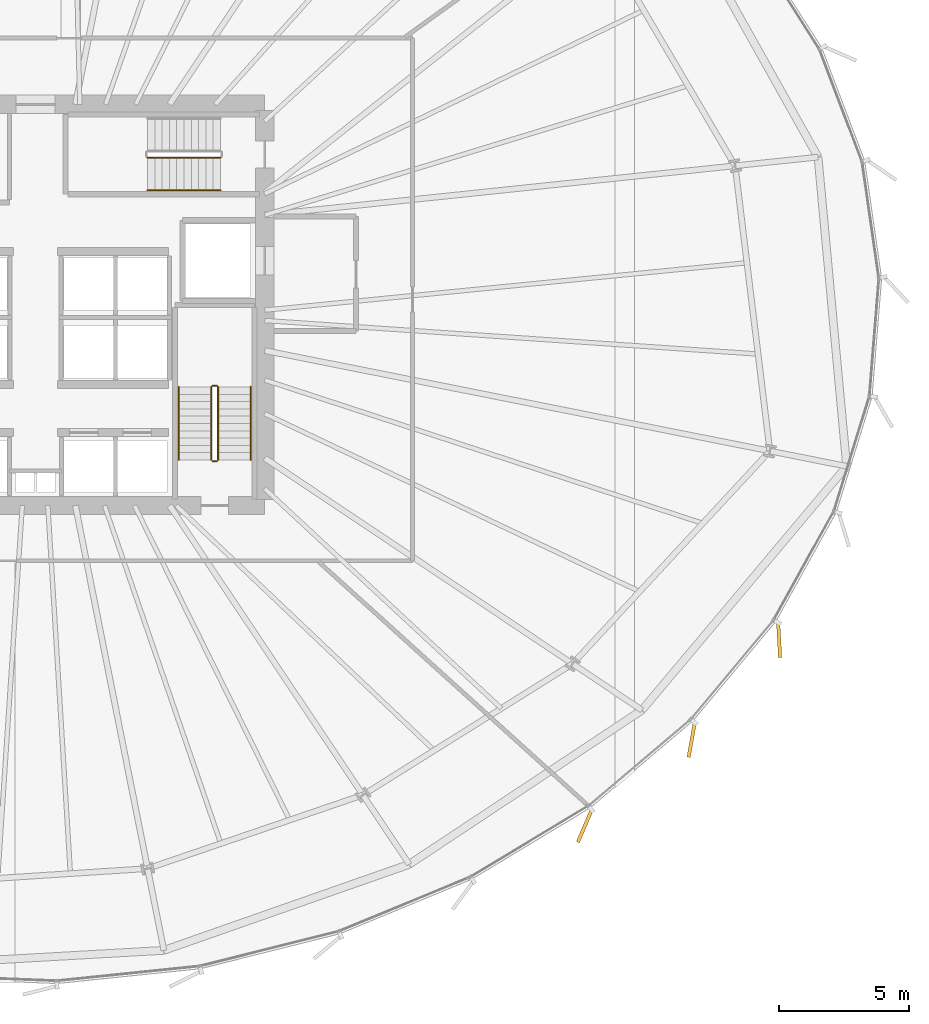
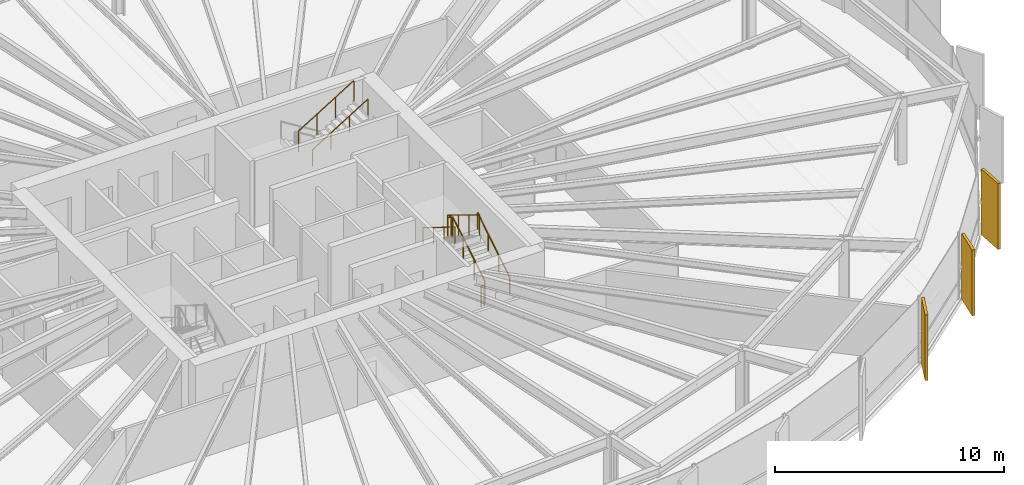
# One storey, part 39 of 42: 8 railings, 3 coverings.
"""IFC4 building model written with IfcOpenShell, lengths in metres."""

from ifc_helpers import new_model, si_unit, direction, frame, origin, origin_2d, place, context, subcontext, project, spatial, rectangle, circle, extrude, source, transform, mapped, material, layer, layer_set, type_object, element, save


model = new_model("IFC4")

# Units and contexts
model_context = context("Model", 3, precision=1e-05, world=origin(), true_north=direction((0.0, 1.0)))
body_context = subcontext(model_context, "Body", "Model", "MODEL_VIEW")
ifc_project = project(units=[si_unit("LENGTHUNIT", "METRE"), si_unit("AREAUNIT", "SQUARE_METRE"), si_unit("VOLUMEUNIT", "CUBIC_METRE"), si_unit("PLANEANGLEUNIT", "RADIAN"), si_unit("MASSUNIT", "GRAM", prefix="KILO"), si_unit("THERMODYNAMICTEMPERATUREUNIT", "KELVIN")], contexts=[model_context])

# Site, building, storey
site_placement = place(None, origin())
site = spatial("IfcSite", under=ifc_project, at=site_placement, CompositionType="ELEMENT")
building_placement = place(site_placement, origin())
building = spatial("IfcBuilding", under=site, at=building_placement, Name="Kethvar Cultural Tower", CompositionType="ELEMENT")
storey_placement = place(building_placement, frame((0.0, 0.0, 37.199951171875)))
storey = spatial("IfcBuildingStorey", under=building, at=storey_placement, Name="L08", CompositionType="ELEMENT", Elevation=37.199951171875)

# Railings
ifc_material_1 = material(Name="Steel S355J2", Category="steel")
railing_type_1 = type_object("IfcRailingType", Name="RL-STAIR-GUARD", PredefinedType="BALUSTRADE", material=ifc_material_1)
railing_1_placement = place(storey_placement, frame((53.81005859375, 21.85009765625, 0.1728515625)))
element("IfcRailing", 1, at=railing_1_placement, inside=storey, type_object=railing_type_1, Name="L08 ST-02 stair guard 1", PredefinedType="BALUSTRADE", context=body_context, shape_type="SweptSolid", body=[
    extrude(circle(Radius=0.02392578125, at=origin_2d()), frame((0.0, 0.0, 1.09619140625), z_axis=(0.0, 0.851069175582, 0.525053576669), x_axis=(-1.0, 0.0, 0.0)), (0.0, 0.0, 1.0), 3.289794921875),
    extrude(circle(Radius=0.02099609375, at=origin_2d()), origin(), (0.0, 0.0, 1.0), 1.072021484375),
    extrude(circle(Radius=0.02099609375, at=origin_2d()), frame((0.0, 0.933349609375, 0.57568359375)), (0.0, 0.0, 1.0), 1.072021484375),
    extrude(circle(Radius=0.02099609375, at=origin_2d()), frame((0.0, 1.866455078125, 1.151611328125)), (0.0, 0.0, 1.0), 1.072021484375),
    extrude(circle(Radius=0.02099609375, at=origin_2d()), frame((0.0, 2.7998046875, 1.727294921875)), (0.0, 0.0, 1.0), 1.072021484375),
])
railing_2_placement = place(storey_placement, frame((53.760009765625, 24.699951171875, 1.900146484375)))
element("IfcRailing", 2, at=railing_2_placement, inside=storey, type_object=railing_type_1, Name="L08 ST-02 stair guard 2", PredefinedType="BALUSTRADE", context=body_context, shape_type="SweptSolid", body=[
    extrude(circle(Radius=0.02392578125, at=origin_2d()), frame((0.0, 0.0, 1.09619140625), z_axis=(-1.0, 0.0, 0.0), x_axis=(0.0, -1.0, 0.0)), (0.0, 0.0, 1.0), 0.159912109375),
    extrude(circle(Radius=0.02099609375, at=origin_2d()), origin(), (0.0, 0.0, 1.0), 1.072021484375),
    extrude(circle(Radius=0.02099609375, at=origin_2d()), frame((-0.159912109375, 0.0, 0.0)), (0.0, 0.0, 1.0), 1.072021484375),
])
railing_3_placement = place(storey_placement, frame((53.550048828125, 24.64990234375, 2.07275390625)))
element("IfcRailing", 3, at=railing_3_placement, inside=storey, type_object=railing_type_1, Name="L08 ST-02 stair guard 3", PredefinedType="BALUSTRADE", context=body_context, shape_type="SweptSolid", body=[
    extrude(circle(Radius=0.02392578125, at=origin_2d()), frame((0.0, 0.0, 1.09619140625), z_axis=(0.0, -0.851069175582, 0.525053576669), x_axis=(1.0, 0.0, 0.0)), (0.0, 0.0, 1.0), 3.289794921875),
    extrude(circle(Radius=0.02099609375, at=origin_2d()), origin(), (0.0, 0.0, 1.0), 1.072021484375),
    extrude(circle(Radius=0.02099609375, at=origin_2d()), frame((0.0, -0.933349609375, 0.57568359375)), (0.0, 0.0, 1.0), 1.072021484375),
    extrude(circle(Radius=0.02099609375, at=origin_2d()), frame((0.0, -1.866455078125, 1.151611328125)), (0.0, 0.0, 1.0), 1.072021484375),
    extrude(circle(Radius=0.02099609375, at=origin_2d()), frame((0.0, -2.7998046875, 1.727294921875)), (0.0, 0.0, 1.0), 1.072021484375),
])
railing_4_placement = place(storey_placement, frame((53.760009765625, 21.800048828125, 0.0)))
element("IfcRailing", 4, at=railing_4_placement, inside=storey, type_object=railing_type_1, Name="L08 ST-02 stair guard 4", PredefinedType="BALUSTRADE", context=body_context, shape_type="SweptSolid", body=[
    extrude(circle(Radius=0.02392578125, at=origin_2d()), frame((0.0, 0.0, 1.09619140625), z_axis=(-1.0, 0.0, 0.0), x_axis=(0.0, -1.0, 0.0)), (0.0, 0.0, 1.0), 0.159912109375),
    extrude(circle(Radius=0.02099609375, at=origin_2d()), origin(), (0.0, 0.0, 1.0), 1.072021484375),
    extrude(circle(Radius=0.02099609375, at=origin_2d()), frame((-0.159912109375, 0.0, 0.0)), (0.0, 0.0, 1.0), 1.072021484375),
])
railing_5_placement = place(storey_placement, frame((51.10009765625, 33.449951171875, 2.07275390625)))
element("IfcRailing", 5, at=railing_5_placement, inside=storey, type_object=railing_type_1, Name="L08 ST-03 stair guard 3", PredefinedType="BALUSTRADE", context=body_context, shape_type="SweptSolid", body=[
    extrude(circle(Radius=0.02392578125, at=origin_2d()), frame((0.0, 0.0, 1.09619140625), z_axis=(0.851069175582, 0.0, 0.525053576669), x_axis=(0.0, 1.0, 0.0)), (0.0, 0.0, 1.0), 3.289794921875),
    extrude(circle(Radius=0.02099609375, at=origin_2d()), origin(), (0.0, 0.0, 1.0), 1.072021484375),
    extrude(circle(Radius=0.02099609375, at=origin_2d()), frame((0.933349609375, 0.0, 0.57568359375)), (0.0, 0.0, 1.0), 1.072021484375),
    extrude(circle(Radius=0.02099609375, at=origin_2d()), frame((1.866455078125, 0.0, 1.151611328125)), (0.0, 0.0, 1.0), 1.072021484375),
    extrude(circle(Radius=0.02099609375, at=origin_2d()), frame((2.7998046875, 0.0, 1.727294921875)), (0.0, 0.0, 1.0), 1.072021484375),
])
railing_type_2 = type_object("IfcRailingType", Name="RL-STAIR-HANDRAIL", PredefinedType="HANDRAIL", material=ifc_material_1)
railing_6_placement = place(storey_placement, frame((55.06005859375, 21.85009765625, 0.1728515625)))
element("IfcRailing", 6, at=railing_6_placement, inside=storey, type_object=railing_type_2, Name="L08 ST-02 stair handrail 1", PredefinedType="HANDRAIL", context=body_context, shape_type="SweptSolid", body=[
    extrude(circle(Radius=0.02392578125, at=origin_2d()), frame((0.0, 0.0, 0.8759765625), z_axis=(0.0, 0.851069175582, 0.525053576669), x_axis=(-1.0, 0.0, 0.0)), (0.0, 0.0, 1.0), 3.289794921875),
    extrude(circle(Radius=0.02099609375, at=origin_2d()), origin(), (0.0, 0.0, 1.0), 0.851806640625),
    extrude(circle(Radius=0.02099609375, at=origin_2d()), frame((0.0, 0.933349609375, 0.57568359375)), (0.0, 0.0, 1.0), 0.851806640625),
    extrude(circle(Radius=0.02099609375, at=origin_2d()), frame((0.0, 1.866455078125, 1.151611328125)), (0.0, 0.0, 1.0), 0.851806640625),
    extrude(circle(Radius=0.02099609375, at=origin_2d()), frame((0.0, 2.7998046875, 1.727294921875)), (0.0, 0.0, 1.0), 0.851806640625),
])
railing_7_placement = place(storey_placement, frame((52.300048828125, 24.64990234375, 2.07275390625)))
element("IfcRailing", 7, at=railing_7_placement, inside=storey, type_object=railing_type_2, Name="L08 ST-02 stair handrail 2", PredefinedType="HANDRAIL", context=body_context, shape_type="SweptSolid", body=[
    extrude(circle(Radius=0.02392578125, at=origin_2d()), frame((0.0, 0.0, 0.8759765625), z_axis=(0.0, -0.851069175582, 0.525053576669), x_axis=(1.0, 0.0, 0.0)), (0.0, 0.0, 1.0), 3.289794921875),
    extrude(circle(Radius=0.02099609375, at=origin_2d()), origin(), (0.0, 0.0, 1.0), 0.851806640625),
    extrude(circle(Radius=0.02099609375, at=origin_2d()), frame((0.0, -0.933349609375, 0.57568359375)), (0.0, 0.0, 1.0), 0.851806640625),
    extrude(circle(Radius=0.02099609375, at=origin_2d()), frame((0.0, -1.866455078125, 1.151611328125)), (0.0, 0.0, 1.0), 0.851806640625),
    extrude(circle(Radius=0.02099609375, at=origin_2d()), frame((0.0, -2.7998046875, 1.727294921875)), (0.0, 0.0, 1.0), 0.851806640625),
])
railing_8_placement = place(storey_placement, frame((51.10009765625, 32.199951171875, 2.07275390625)))
element("IfcRailing", 8, at=railing_8_placement, inside=storey, type_object=railing_type_2, Name="L08 ST-03 stair handrail 2", PredefinedType="HANDRAIL", context=body_context, shape_type="SweptSolid", body=[
    extrude(circle(Radius=0.02392578125, at=origin_2d()), frame((0.0, 0.0, 0.8759765625), z_axis=(0.851069175582, 0.0, 0.525053576669), x_axis=(0.0, 1.0, 0.0)), (0.0, 0.0, 1.0), 3.289794921875),
    extrude(circle(Radius=0.02099609375, at=origin_2d()), origin(), (0.0, 0.0, 1.0), 0.851806640625),
    extrude(circle(Radius=0.02099609375, at=origin_2d()), frame((0.933349609375, 0.0, 0.57568359375)), (0.0, 0.0, 1.0), 0.851806640625),
    extrude(circle(Radius=0.02099609375, at=origin_2d()), frame((1.866455078125, 0.0, 1.151611328125)), (0.0, 0.0, 1.0), 0.851806640625),
    extrude(circle(Radius=0.02099609375, at=origin_2d()), frame((2.7998046875, 0.0, 1.727294921875)), (0.0, 0.0, 1.0), 0.851806640625),
])

# Coverings
ifc_material_2 = material(Name="Extruded Architectural Terracotta", Category="masonry")
ifc_layer = layer(ifc_material_2, 0.135009765625, Name="Extruded Architectural Terracotta", Category="masonry")
ifc_layer_set = layer_set([ifc_layer], Name="Extruded Architectural Terracotta (135 mm)")
covering_type = type_object("IfcCoveringType", Name="Terracotta Facade Fin FIN-01", PredefinedType="CLADDING", material=ifc_layer_set)
shared_shape = source(origin(), body_context, "Body", "SweptSolid", [
    extrude(rectangle(XDim=1.35009765625, YDim=0.135009765625, at=origin_2d()), origin(), (0.0, 0.0, 1.0), 3.510009765625),
])
for number, where, z_axis, x_axis, name in (
    (9, (67.886474609375, 7.797607421875, 0.02001953125), (0.0, 0.0, 1.0), (-0.393941909591, -0.919135339255, 0.0), "L08 Vertical Terracotta Fin 6.2"),
    (10, (71.99072265625, 11.103759765625, 0.02001953125), (0.0, 0.0, 1.0), (-0.174163797974, -0.984716696048, 0.0), "L08 Vertical Terracotta Fin 6.3"),
    (11, (75.34619140625, 14.933349609375, 0.02001953125), (0.0, 0.0, 1.0), (0.05617002316, -0.998421217973, 0.0), "L08 Vertical Terracotta Fin 6.4"),
):
    element("IfcCovering", number, at=place(storey_placement, frame(where, z_axis=z_axis, x_axis=x_axis)), inside=storey, type_object=covering_type, Name=name, PredefinedType="CLADDING", context=body_context, shape_type="MappedRepresentation", body=[
        mapped(shared_shape, transform((0.0, 0.0, 0.0), scale=1.0)),
    ])

save(model, "model.ifc")
